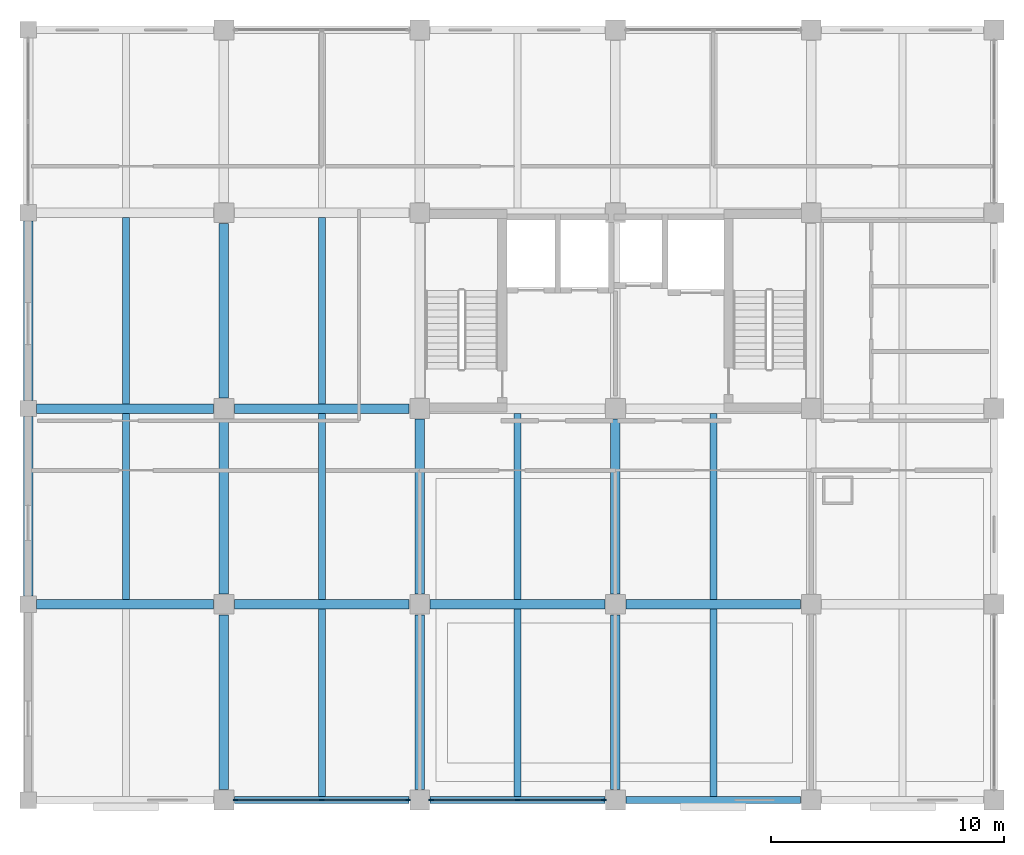
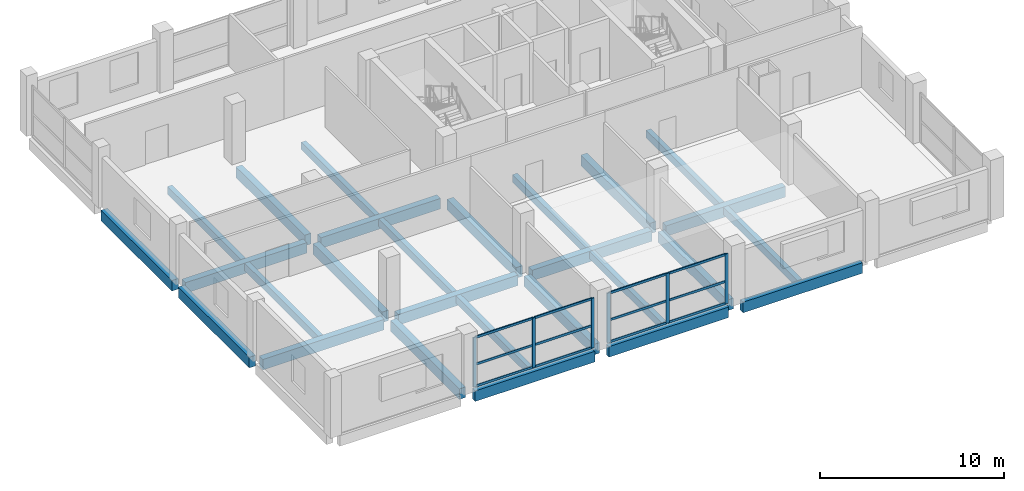
# One storey, part 2 of 11: 27 beams, 18 members, 2 elements without a shape of their own.
"""IFC4 building model written with IfcOpenShell, lengths in metres."""

import ifcopenshell
import ifcopenshell.guid

model = None  # the IFC model being written
_history = None  # IfcOwnerHistory: only IFC2X3 demands one
_inside = {}  # id of a spatial element -> (the spatial element, [elements in it])
_under = {}  # id of a project, library or spatial element -> (it, [spatial elements below it])
_declared = {}  # id of a project -> (the project, [libraries it declares])
_typed = {}  # id of a type object -> (the type object, [elements of that type])
_made_of = {}  # id of a material, layer set ... -> (it, [elements and type objects made of it])


def new_model(schema):
    """Start an empty IFC model of exactly this schema.

    Asked for "IFC4X3", IfcOpenShell would pick the latest addendum, in which some entities
    have other attributes; the version numbers below select the first issue.
    IFC2X3 requires an IfcOwnerHistory on every rooted entity: one is made here for all.
    """
    global model, _history
    if schema == "IFC4X3":
        model = ifcopenshell.file(schema_version=(4, 3, 0, 0))
    else:
        model = ifcopenshell.file(schema=schema)
    _inside.clear()
    _under.clear()
    _declared.clear()
    _typed.clear()
    _made_of.clear()
    _history = None
    if model.schema == "IFC2X3":
        org = make("IfcOrganization", Name="unknown")
        user = make(
            "IfcPersonAndOrganization",
            ThePerson=make("IfcPerson", FamilyName="unknown"),
            TheOrganization=org,
        )
        app = make(
            "IfcApplication",
            ApplicationDeveloper=org,
            Version="unknown",
            ApplicationFullName="unknown",
            ApplicationIdentifier="unknown",
        )
        _history = make(
            "IfcOwnerHistory",
            OwningUser=user,
            OwningApplication=app,
            ChangeAction="ADDED",
            CreationDate=0,
        )
    return model


def make(cls, **values):
    """One entity of the class cls with the attributes given. An attribute that is None is left unset."""
    return model.create_entity(
        cls, **{name: value for name, value in values.items() if value is not None}
    )


def rooted(cls, **values):
    """An entity with a GlobalId (a new one), such as an element, a storey or a relation."""
    return make(cls, GlobalId=ifcopenshell.guid.new(), OwnerHistory=_history, **values)


def si_unit(unit_type, name, prefix=None):
    """IfcSIUnit, for example si_unit("LENGTHUNIT", "METRE", prefix="MILLI")."""
    return make("IfcSIUnit", UnitType=unit_type, Prefix=prefix, Name=name)


def assignment(units):
    """IfcUnitAssignment: the units of a project."""
    return None if units is None else make("IfcUnitAssignment", Units=units)


def point(xyz):
    """IfcCartesianPoint."""
    return None if xyz is None else make("IfcCartesianPoint", Coordinates=xyz)


def direction(xyz):
    """IfcDirection."""
    return None if xyz is None else make("IfcDirection", DirectionRatios=xyz)


def frame(location, z_axis=None, x_axis=None):
    """IfcAxis2Placement3D, a coordinate frame: its origin and axes. An axis left out is left unset."""
    return make(
        "IfcAxis2Placement3D",
        Location=point(location),
        Axis=direction(z_axis),
        RefDirection=direction(x_axis),
    )


def frame_2d(location, x_axis=None):
    """IfcAxis2Placement2D, a coordinate frame in the plane: its origin and x axis."""
    return make(
        "IfcAxis2Placement2D", Location=point(location), RefDirection=direction(x_axis)
    )


def origin():
    """The frame at (0, 0, 0) with its axes left unset."""
    return frame((0.0, 0.0, 0.0))


def origin_2d():
    """The frame at (0, 0) in the plane with its x axis left unset."""
    return frame_2d((0.0, 0.0))


def place(relative_to, where):
    """IfcLocalPlacement: puts the frame where relative to a parent placement (None: the world)."""
    return make(
        "IfcLocalPlacement", PlacementRelTo=relative_to, RelativePlacement=where
    )


def context(
    kind, dimensions, precision=None, world=None, true_north=None, identifier=None
):
    """IfcGeometricRepresentationContext, for example the 3D "Model" context."""
    return make(
        "IfcGeometricRepresentationContext",
        ContextIdentifier=identifier,
        ContextType=kind,
        CoordinateSpaceDimension=dimensions,
        Precision=precision,
        WorldCoordinateSystem=world,
        TrueNorth=true_north,
    )


def subcontext(parent, identifier, kind, view, scale=None):
    """IfcGeometricRepresentationSubContext, for example "Body" below "Model"."""
    return make(
        "IfcGeometricRepresentationSubContext",
        ContextIdentifier=identifier,
        ContextType=kind,
        ParentContext=parent,
        TargetScale=scale,
        TargetView=view,
    )


def project(units=None, contexts=None):
    """IfcProject with its units and contexts."""
    return rooted(
        "IfcProject",
        Name="project",
        RepresentationContexts=contexts,
        UnitsInContext=assignment(units),
    )


def spatial(cls, under=None, at=None, **own):
    """A site, building, storey or space (cls), placed at a placement, below another one or the project."""
    s = rooted(cls, ObjectPlacement=at, **own)
    if under is not None:
        _under.setdefault(under.id(), (under, []))[1].append(s)
    return s


def profile(cls, at=None, kind="AREA", **sizes):
    """A parametric profile (cls). Its sizes go by their IFC names, for example OverallWidth=200.0."""
    return make(cls, ProfileType=kind, Position=at, **sizes)


def rectangle(**sizes):
    """IfcRectangleProfileDef."""
    return profile("IfcRectangleProfileDef", **sizes)


def extrude(swept, where, along, depth):
    """IfcExtrudedAreaSolid: the profile swept, set in the frame where, extruded along a direction by depth."""
    return make(
        "IfcExtrudedAreaSolid",
        SweptArea=swept,
        Position=where,
        ExtrudedDirection=direction(along),
        Depth=depth,
    )


def shape(context_of_items, identifier, shape_type, items):
    """IfcShapeRepresentation: the items that make up one representation, for example the "Body"."""
    return make(
        "IfcShapeRepresentation",
        ContextOfItems=context_of_items,
        RepresentationIdentifier=identifier,
        RepresentationType=shape_type,
        Items=items,
    )


def material(Name=None, Category=None):
    """IfcMaterial."""
    return make("IfcMaterial", Name=Name, Category=Category)


def material_profile(
    of_material, cross_section, Name=None, Category=None, Priority=None
):
    """IfcMaterialProfile: a cross section and its material."""
    return make(
        "IfcMaterialProfile",
        Name=Name,
        Material=of_material,
        Profile=cross_section,
        Priority=Priority,
        Category=Category,
    )


def profile_set(profiles, Name=None, composite=None):
    """IfcMaterialProfileSet."""
    return make(
        "IfcMaterialProfileSet",
        Name=Name,
        MaterialProfiles=profiles,
        CompositeProfile=composite,
    )


def made_of(thing, what):
    """Note that an element or type object is made of a material, layer set ...; save() writes the relation."""
    if what is not None:
        _made_of.setdefault(what.id(), (what, []))[1].append(thing)
    return thing


def type_object(cls, material=None, **own):
    """A type object (cls), such as IfcWallType, which elements share."""
    return made_of(rooted(cls, **own), material)


def element(
    cls,
    number,
    at=None,
    inside=None,
    cuts=None,
    type_object=None,
    material=None,
    context=None,
    identifier="Body",
    shape_type=None,
    held_by="IfcProductDefinitionShape",
    body=None,
    shapes=None,
    **own,
):
    """One element of the class cls, such as IfcWall. Its Tag is "e" and its number.

    at: its placement. inside: the storey or other place that contains it. cuts: it is an
    opening in that element (IfcRelVoidsElement). A single representation is given by context,
    identifier, shape_type and body (its items); several are given by shapes. held_by: the class
    of the entity that holds the representations. save() writes the other relations.
    """
    e = rooted(cls, Tag="e%d" % number, ObjectPlacement=at, **own)
    if body is not None:
        shapes = [shape(context, identifier, shape_type, body)]
    if shapes is not None:
        e.Representation = make(held_by, Representations=shapes)
    if inside is not None:
        _inside.setdefault(inside.id(), (inside, []))[1].append(e)
    if cuts is not None:
        rooted(
            "IfcRelVoidsElement", RelatingBuildingElement=cuts, RelatedOpeningElement=e
        )
    if type_object is not None:
        _typed.setdefault(type_object.id(), (type_object, []))[1].append(e)
    return made_of(e, material)


def aggregate(whole, parts):
    """IfcRelAggregates: a whole, such as a stair, and the parts it consists of."""
    return rooted("IfcRelAggregates", RelatingObject=whole, RelatedObjects=parts)


def save(model, path):
    """Write the relations noted so far, then the file.

    IfcRelAggregates (storeys below a building ...), IfcRelContainedInSpatialStructure (elements
    in a storey), IfcRelDefinesByType, IfcRelAssociatesMaterial and IfcRelDeclares: one each for
    every whole, place, type object, material and project.
    """
    for whole, parts in _under.values():
        aggregate(whole, parts)
    for where, things in _inside.values():
        rooted(
            "IfcRelContainedInSpatialStructure",
            RelatedElements=things,
            RelatingStructure=where,
        )
    for kind, things in _typed.values():
        rooted("IfcRelDefinesByType", RelatedObjects=things, RelatingType=kind)
    for what, things in _made_of.values():
        rooted("IfcRelAssociatesMaterial", RelatedObjects=things, RelatingMaterial=what)
    for by, libraries in _declared.values():
        rooted("IfcRelDeclares", RelatingContext=by, RelatedDefinitions=libraries)
    model.write(path)


model = new_model("IFC4")

# Units and contexts
model_context = context("Model", 3, precision=1e-05, world=origin(), true_north=direction((0.0, 1.0)))
body_context = subcontext(model_context, "Body", "Model", "MODEL_VIEW")
ifc_project = project(units=[si_unit("LENGTHUNIT", "METRE"), si_unit("AREAUNIT", "SQUARE_METRE"), si_unit("VOLUMEUNIT", "CUBIC_METRE"), si_unit("PLANEANGLEUNIT", "RADIAN"), si_unit("MASSUNIT", "GRAM", prefix="KILO")], contexts=[model_context])

# Site, building, storey
site_placement = place(None, origin())
site = spatial("IfcSite", under=ifc_project, at=site_placement, CompositionType="ELEMENT")
building_placement = place(site_placement, origin())
building = spatial("IfcBuilding", under=site, at=building_placement, Name="Brinegate Botanical Conservatory", CompositionType="ELEMENT")
storey_placement = place(building_placement, frame((0.0, 0.0, 23.39990234375)))
storey = spatial("IfcBuildingStorey", under=building, at=storey_placement, Name="L06", CompositionType="ELEMENT", Elevation=23.39990234375)

# Beams
ifc_material_1 = material(Name="Concrete C40/50", Category="concrete")
ifc_material_profile_1 = material_profile(ifc_material_1, rectangle(XDim=0.39990234375, YDim=0.699951171875, at=origin_2d()), Name="RC BM 400x700")
ifc_profile_set_1 = profile_set([ifc_material_profile_1], Name="Concrete C40/50")
beam_type_1 = type_object("IfcBeamType", Name="Beam_BM-T2", PredefinedType="BEAM", material=ifc_profile_set_1)
beam_1_placement = place(storey_placement, frame((122.35009765625, 86.800048828125, -0.52978515625), z_axis=(1.0, 0.0, 0.0), x_axis=(0.0, 1.0, 0.0)))
element("IfcBeam", 1, at=beam_1_placement, inside=storey, type_object=beam_type_1, Name="Beam BM-T2 L06 L:16-17", PredefinedType="BEAM", context=body_context, shape_type="SweptSolid", body=[
    extrude(rectangle(XDim=0.39990234375, YDim=0.699951171875, at=origin_2d()), origin(), (0.0, 0.0, 1.0), 7.599853515625),
])
for number, where, z_axis, x_axis, name in (
    (2, (130.85009765625, 86.800048828125, -0.52978515625), (1.0, 0.0, 0.0), (0.0, 1.0, 0.0), "Beam BM-T2 L06 L:17-18"),
    (3, (139.25, 86.800048828125, -0.52978515625), (1.0, 0.0, 0.0), (0.0, 1.0, 0.0), "Beam BM-T2 L06 L:18-19"),
    (4, (147.64990234375, 86.800048828125, -0.52978515625), (1.0, 0.0, 0.0), (0.0, 1.0, 0.0), "Beam BM-T2 L06 L:19-20"),
):
    element("IfcBeam", number, at=place(storey_placement, frame(where, z_axis=z_axis, x_axis=x_axis)), inside=storey, type_object=beam_type_1, Name=name, PredefinedType="BEAM", context=body_context, shape_type="SweptSolid", body=[
        extrude(rectangle(XDim=0.39990234375, YDim=0.699951171875, at=origin_2d()), origin(), (0.0, 0.0, 1.0), 7.5),
    ])
beam_2_placement = place(storey_placement, frame((122.35009765625, 95.199951171875, -0.52978515625), z_axis=(1.0, 0.0, 0.0), x_axis=(0.0, 1.0, 0.0)))
element("IfcBeam", 5, at=beam_2_placement, inside=storey, type_object=beam_type_1, Name="Beam BM-T2 L06 M:16-17", PredefinedType="BEAM", context=body_context, shape_type="SweptSolid", body=[
    extrude(rectangle(XDim=0.39990234375, YDim=0.699951171875, at=origin_2d()), origin(), (0.0, 0.0, 1.0), 7.599853515625),
])
beam_3_placement = place(storey_placement, frame((130.85009765625, 95.199951171875, -0.52978515625), z_axis=(1.0, 0.0, 0.0), x_axis=(0.0, 1.0, 0.0)))
element("IfcBeam", 6, at=beam_3_placement, inside=storey, type_object=beam_type_1, Name="Beam BM-T2 L06 M:17-18", PredefinedType="BEAM", context=body_context, shape_type="SweptSolid", body=[
    extrude(rectangle(XDim=0.39990234375, YDim=0.699951171875, at=origin_2d()), origin(), (0.0, 0.0, 1.0), 7.5),
])
beam_4_placement = place(storey_placement, frame((122.0, 87.14990234375, -0.52978515625), z_axis=(0.0, 1.0, 0.0), x_axis=(-1.0, 0.0, 0.0)))
element("IfcBeam", 7, at=beam_4_placement, inside=storey, type_object=beam_type_1, Name="Beam BM-T2 L06 16:L-M", PredefinedType="BEAM", context=body_context, shape_type="SweptSolid", body=[
    extrude(rectangle(XDim=0.39990234375, YDim=0.699951171875, at=origin_2d()), origin(), (0.0, 0.0, 1.0), 7.7001953125),
])
beam_5_placement = place(storey_placement, frame((122.0, 95.550048828125, -0.52978515625), z_axis=(0.0, 1.0, 0.0), x_axis=(-1.0, 0.0, 0.0)))
element("IfcBeam", 8, at=beam_5_placement, inside=storey, type_object=beam_type_1, Name="Beam BM-T2 L06 16:M-N", PredefinedType="BEAM", context=body_context, shape_type="SweptSolid", body=[
    extrude(rectangle(XDim=0.39990234375, YDim=0.699951171875, at=origin_2d()), origin(), (0.0, 0.0, 1.0), 7.699951171875),
])
for number, where, z_axis, x_axis, name in (
    (9, (130.39990234375, 78.85009765625, -0.52978515625), (0.0, 1.0, 0.0), (-1.0, 0.0, 0.0), "Beam BM-T2 L06 17:K-L"),
    (10, (130.39990234375, 87.25, -0.52978515625), (0.0, 1.0, 0.0), (-1.0, 0.0, 0.0), "Beam BM-T2 L06 17:L-M"),
    (11, (130.39990234375, 95.64990234375, -0.52978515625), (0.0, 1.0, 0.0), (-1.0, 0.0, 0.0), "Beam BM-T2 L06 17:M-N"),
    (12, (138.800048828125, 78.85009765625, -0.52978515625), (0.0, 1.0, 0.0), (-1.0, 0.0, 0.0), "Beam BM-T2 L06 18:K-L"),
    (13, (138.800048828125, 87.25, -0.52978515625), (0.0, 1.0, 0.0), (-1.0, 0.0, 0.0), "Beam BM-T2 L06 18:L-M"),
    (14, (147.199951171875, 78.85009765625, -0.52978515625), (0.0, 1.0, 0.0), (-1.0, 0.0, 0.0), "Beam BM-T2 L06 19:K-L"),
    (15, (147.199951171875, 87.25, -0.52978515625), (0.0, 1.0, 0.0), (-1.0, 0.0, 0.0), "Beam BM-T2 L06 19:L-M"),
):
    element("IfcBeam", number, at=place(storey_placement, frame(where, z_axis=z_axis, x_axis=x_axis)), inside=storey, type_object=beam_type_1, Name=name, PredefinedType="BEAM", context=body_context, shape_type="SweptSolid", body=[
        extrude(rectangle(XDim=0.39990234375, YDim=0.699951171875, at=origin_2d()), origin(), (0.0, 0.0, 1.0), 7.5),
    ])
ifc_material_profile_2 = material_profile(ifc_material_1, rectangle(XDim=0.300048828125, YDim=0.5, at=origin_2d()), Name="RC JST 300x500")
ifc_profile_set_2 = profile_set([ifc_material_profile_2], Name="Concrete C40/50")
beam_type_2 = type_object("IfcBeamType", Name="Beam_JS-C2", PredefinedType="JOIST", material=ifc_profile_set_2)
for number, where, z_axis, x_axis, name in (
    (16, (126.199951171875, 87.0, -0.429931640625), (0.0, 1.0, 0.0), (-1.0, 0.0, 0.0), "Floor joist JS-C2 L06 bay 16.11"),
    (17, (126.199951171875, 95.39990234375, -0.429931640625), (0.0, 1.0, 0.0), (-1.0, 0.0, 0.0), "Floor joist JS-C2 L06 bay 16.12"),
):
    element("IfcBeam", number, at=place(storey_placement, frame(where, z_axis=z_axis, x_axis=x_axis)), inside=storey, type_object=beam_type_2, Name=name, PredefinedType="JOIST", context=body_context, shape_type="SweptSolid", body=[
        extrude(rectangle(XDim=0.300048828125, YDim=0.5, at=origin_2d()), origin(), (0.0, 0.0, 1.0), 8.0),
    ])
beam_6_placement = place(storey_placement, frame((134.60009765625, 78.550048828125, -0.429931640625), z_axis=(0.0, 1.0, 0.0), x_axis=(-1.0, 0.0, 0.0)))
element("IfcBeam", 18, at=beam_6_placement, inside=storey, type_object=beam_type_2, Name="Floor joist JS-C2 L06 bay 17.10", PredefinedType="JOIST", context=body_context, shape_type="SweptSolid", body=[
    extrude(rectangle(XDim=0.300048828125, YDim=0.5, at=origin_2d()), origin(), (0.0, 0.0, 1.0), 8.050048828125),
])
for number, where, z_axis, x_axis, name in (
    (19, (134.60009765625, 87.0, -0.429931640625), (0.0, 1.0, 0.0), (-1.0, 0.0, 0.0), "Floor joist JS-C2 L06 bay 17.11"),
    (20, (134.60009765625, 95.39990234375, -0.429931640625), (0.0, 1.0, 0.0), (-1.0, 0.0, 0.0), "Floor joist JS-C2 L06 bay 17.12"),
):
    element("IfcBeam", number, at=place(storey_placement, frame(where, z_axis=z_axis, x_axis=x_axis)), inside=storey, type_object=beam_type_2, Name=name, PredefinedType="JOIST", context=body_context, shape_type="SweptSolid", body=[
        extrude(rectangle(XDim=0.300048828125, YDim=0.5, at=origin_2d()), origin(), (0.0, 0.0, 1.0), 8.0),
    ])
beam_7_placement = place(storey_placement, frame((143.0, 78.550048828125, -0.429931640625), z_axis=(0.0, 1.0, 0.0), x_axis=(-1.0, 0.0, 0.0)))
element("IfcBeam", 21, at=beam_7_placement, inside=storey, type_object=beam_type_2, Name="Floor joist JS-C2 L06 bay 18.10", PredefinedType="JOIST", context=body_context, shape_type="SweptSolid", body=[
    extrude(rectangle(XDim=0.300048828125, YDim=0.5, at=origin_2d()), origin(), (0.0, 0.0, 1.0), 8.050048828125),
])
beam_8_placement = place(storey_placement, frame((143.0, 87.0, -0.429931640625), z_axis=(0.0, 1.0, 0.0), x_axis=(-1.0, 0.0, 0.0)))
element("IfcBeam", 22, at=beam_8_placement, inside=storey, type_object=beam_type_2, Name="Floor joist JS-C2 L06 bay 18.11", PredefinedType="JOIST", context=body_context, shape_type="SweptSolid", body=[
    extrude(rectangle(XDim=0.300048828125, YDim=0.5, at=origin_2d()), origin(), (0.0, 0.0, 1.0), 8.0),
])
beam_9_placement = place(storey_placement, frame((151.39990234375, 78.550048828125, -0.429931640625), z_axis=(0.0, 1.0, 0.0), x_axis=(-1.0, 0.0, 0.0)))
element("IfcBeam", 23, at=beam_9_placement, inside=storey, type_object=beam_type_2, Name="Floor joist JS-C2 L06 bay 19.10", PredefinedType="JOIST", context=body_context, shape_type="SweptSolid", body=[
    extrude(rectangle(XDim=0.300048828125, YDim=0.5, at=origin_2d()), origin(), (0.0, 0.0, 1.0), 8.050048828125),
])
beam_10_placement = place(storey_placement, frame((151.39990234375, 87.0, -0.429931640625), z_axis=(0.0, 1.0, 0.0), x_axis=(-1.0, 0.0, 0.0)))
element("IfcBeam", 24, at=beam_10_placement, inside=storey, type_object=beam_type_2, Name="Floor joist JS-C2 L06 bay 19.11", PredefinedType="JOIST", context=body_context, shape_type="SweptSolid", body=[
    extrude(rectangle(XDim=0.300048828125, YDim=0.5, at=origin_2d()), origin(), (0.0, 0.0, 1.0), 8.0),
])
ifc_material_profile_3 = material_profile(ifc_material_1, rectangle(XDim=0.300048828125, YDim=0.699951171875, at=origin_2d()), Name="RC SPN 300x700")
ifc_profile_set_3 = profile_set([ifc_material_profile_3], Name="Concrete C40/50")
beam_type_3 = type_object("IfcBeamType", Name="Beam_SP-02", PredefinedType="SPANDREL", material=ifc_profile_set_3)
for number, where, z_axis, x_axis, name in (
    (25, (130.85009765625, 78.39990234375, -0.52978515625), (1.0, 0.0, 0.0), (0.0, 1.0, 0.0), "Beam SP-02 L06 K:17-18"),
    (26, (139.25, 78.39990234375, -0.52978515625), (1.0, 0.0, 0.0), (0.0, 1.0, 0.0), "Beam SP-02 L06 K:18-19"),
    (27, (147.64990234375, 78.39990234375, -0.52978515625), (1.0, 0.0, 0.0), (0.0, 1.0, 0.0), "Beam SP-02 L06 K:19-20"),
):
    element("IfcBeam", number, at=place(storey_placement, frame(where, z_axis=z_axis, x_axis=x_axis)), inside=storey, type_object=beam_type_3, Name=name, PredefinedType="SPANDREL", context=body_context, shape_type="SweptSolid", body=[
        extrude(rectangle(XDim=0.300048828125, YDim=0.699951171875, at=origin_2d()), origin(), (0.0, 0.0, 1.0), 7.5),
    ])

# Curtain wall, members
ifc_material_2 = material(Name="Thermally broken anodised aluminium AW-6063-T6", Category="aluminium")
curtain_wall_type = type_object("IfcCurtainWallType", Name="CW_CW-TW1", PredefinedType="USERDEFINED", material=ifc_material_2)
curtain_wall_1_placement = place(storey_placement, origin())
curtain_wall_1 = element("IfcCurtainWall", 28, at=curtain_wall_1_placement, inside=storey, type_object=curtain_wall_type, Name="Tower south curtain wall L06.2", ObjectType="FACTORY CURTAIN WALL", PredefinedType="USERDEFINED")
ifc_material_profile_4 = material_profile(ifc_material_2, rectangle(XDim=0.070068359375, YDim=0.199951171875, at=origin_2d()), Name="ALUM MULLION 70x200")
ifc_profile_set_4 = profile_set([ifc_material_profile_4], Name="Thermally broken anodised aluminium AW-6063-T6")
member_type_1 = type_object("IfcMemberType", Name="Member_ML-03", PredefinedType="MULLION", material=ifc_profile_set_4)
member_1_placement = place(storey_placement, frame((138.300048828125, 78.39990234375, 0.0), z_axis=(0.0, 0.0, 1.0), x_axis=(0.0, -1.0, 0.0)))
member_1 = element("IfcMember", 29, at=member_1_placement, type_object=member_type_1, Name="CW-TW1 mullion 1", PredefinedType="MULLION", context=body_context, shape_type="SweptSolid", body=[
    extrude(rectangle(XDim=0.070068359375, YDim=0.199951171875, at=origin_2d()), origin(), (0.0, 0.0, 1.0), 3.300048828125),
])
member_2_placement = place(storey_placement, frame((134.60009765625, 78.39990234375, 0.0), z_axis=(0.0, 0.0, 1.0), x_axis=(0.0, -1.0, 0.0)))
member_2 = element("IfcMember", 30, at=member_2_placement, type_object=member_type_1, Name="CW-TW1 mullion 2", PredefinedType="MULLION", context=body_context, shape_type="SweptSolid", body=[
    extrude(rectangle(XDim=0.070068359375, YDim=0.199951171875, at=origin_2d()), origin(), (0.0, 0.0, 1.0), 3.300048828125),
])
member_3_placement = place(storey_placement, frame((130.89990234375, 78.39990234375, 0.0), z_axis=(0.0, 0.0, 1.0), x_axis=(0.0, -1.0, 0.0)))
member_3 = element("IfcMember", 31, at=member_3_placement, type_object=member_type_1, Name="CW-TW1 mullion 3", PredefinedType="MULLION", context=body_context, shape_type="SweptSolid", body=[
    extrude(rectangle(XDim=0.070068359375, YDim=0.199951171875, at=origin_2d()), origin(), (0.0, 0.0, 1.0), 3.300048828125),
])

curtain_wall_2_placement = place(storey_placement, origin())
curtain_wall_2 = element("IfcCurtainWall", 32, at=curtain_wall_2_placement, inside=storey, type_object=curtain_wall_type, Name="Tower south curtain wall L06.3", ObjectType="FACTORY CURTAIN WALL", PredefinedType="USERDEFINED")
member_4_placement = place(storey_placement, frame((146.699951171875, 78.39990234375, 0.0), z_axis=(0.0, 0.0, 1.0), x_axis=(0.0, -1.0, 0.0)))
member_4 = element("IfcMember", 33, at=member_4_placement, type_object=member_type_1, Name="CW-TW1 mullion 1", PredefinedType="MULLION", context=body_context, shape_type="SweptSolid", body=[
    extrude(rectangle(XDim=0.070068359375, YDim=0.199951171875, at=origin_2d()), origin(), (0.0, 0.0, 1.0), 3.300048828125),
])
member_5_placement = place(storey_placement, frame((143.0, 78.39990234375, 0.0), z_axis=(0.0, 0.0, 1.0), x_axis=(0.0, -1.0, 0.0)))
member_5 = element("IfcMember", 34, at=member_5_placement, type_object=member_type_1, Name="CW-TW1 mullion 2", PredefinedType="MULLION", context=body_context, shape_type="SweptSolid", body=[
    extrude(rectangle(XDim=0.070068359375, YDim=0.199951171875, at=origin_2d()), origin(), (0.0, 0.0, 1.0), 3.300048828125),
])
member_6_placement = place(storey_placement, frame((139.300048828125, 78.39990234375, 0.0), z_axis=(0.0, 0.0, 1.0), x_axis=(0.0, -1.0, 0.0)))
member_6 = element("IfcMember", 35, at=member_6_placement, type_object=member_type_1, Name="CW-TW1 mullion 3", PredefinedType="MULLION", context=body_context, shape_type="SweptSolid", body=[
    extrude(rectangle(XDim=0.070068359375, YDim=0.199951171875, at=origin_2d()), origin(), (0.0, 0.0, 1.0), 3.300048828125),
])

# Member
ifc_material_profile_5 = material_profile(ifc_material_2, rectangle(XDim=0.070068359375, YDim=0.14990234375, at=origin_2d()), Name="ALUM TRANSOM 70x150")
ifc_profile_set_5 = profile_set([ifc_material_profile_5], Name="Thermally broken anodised aluminium AW-6063-T6")
member_type_2 = type_object("IfcMemberType", Name="Member_TR-03", PredefinedType="USERDEFINED", material=ifc_profile_set_5)
member_7_placement = place(storey_placement, frame((138.264892578125, 78.39990234375, 0.03515625), z_axis=(-1.0, 0.0, 0.0), x_axis=(0.0, -1.0, 0.0)))
member_7 = element("IfcMember", 36, at=member_7_placement, type_object=member_type_2, Name="CW-TW1 transom 1.1", ObjectType="TRANSOM", PredefinedType="USERDEFINED", context=body_context, shape_type="SweptSolid", body=[
    extrude(rectangle(XDim=0.070068359375, YDim=0.14990234375, at=origin_2d()), origin(), (0.0, 0.0, 1.0), 3.6298828125),
])

member_8_placement = place(storey_placement, frame((138.264892578125, 78.39990234375, 1.485107421875), z_axis=(-1.0, 0.0, 0.0), x_axis=(0.0, -1.0, 0.0)))
member_8 = element("IfcMember", 37, at=member_8_placement, type_object=member_type_2, Name="CW-TW1 transom 1.2", ObjectType="TRANSOM", PredefinedType="USERDEFINED", context=body_context, shape_type="SweptSolid", body=[
    extrude(rectangle(XDim=0.070068359375, YDim=0.14990234375, at=origin_2d()), origin(), (0.0, 0.0, 1.0), 3.6298828125),
])

member_9_placement = place(storey_placement, frame((138.264892578125, 78.39990234375, 3.26513671875), z_axis=(-1.0, 0.0, 0.0), x_axis=(0.0, -1.0, 0.0)))
member_9 = element("IfcMember", 38, at=member_9_placement, type_object=member_type_2, Name="CW-TW1 transom 1.3", ObjectType="TRANSOM", PredefinedType="USERDEFINED", context=body_context, shape_type="SweptSolid", body=[
    extrude(rectangle(XDim=0.070068359375, YDim=0.14990234375, at=origin_2d()), origin(), (0.0, 0.0, 1.0), 3.6298828125),
])

member_10_placement = place(storey_placement, frame((134.56494140625, 78.39990234375, 0.03515625), z_axis=(-1.0, 0.0, 0.0), x_axis=(0.0, -1.0, 0.0)))
member_10 = element("IfcMember", 39, at=member_10_placement, type_object=member_type_2, Name="CW-TW1 transom 2.1", ObjectType="TRANSOM", PredefinedType="USERDEFINED", context=body_context, shape_type="SweptSolid", body=[
    extrude(rectangle(XDim=0.070068359375, YDim=0.14990234375, at=origin_2d()), origin(), (0.0, 0.0, 1.0), 3.6298828125),
])

member_11_placement = place(storey_placement, frame((134.56494140625, 78.39990234375, 1.485107421875), z_axis=(-1.0, 0.0, 0.0), x_axis=(0.0, -1.0, 0.0)))
member_11 = element("IfcMember", 40, at=member_11_placement, type_object=member_type_2, Name="CW-TW1 transom 2.2", ObjectType="TRANSOM", PredefinedType="USERDEFINED", context=body_context, shape_type="SweptSolid", body=[
    extrude(rectangle(XDim=0.070068359375, YDim=0.14990234375, at=origin_2d()), origin(), (0.0, 0.0, 1.0), 3.6298828125),
])

member_12_placement = place(storey_placement, frame((134.56494140625, 78.39990234375, 3.26513671875), z_axis=(-1.0, 0.0, 0.0), x_axis=(0.0, -1.0, 0.0)))
member_12 = element("IfcMember", 41, at=member_12_placement, type_object=member_type_2, Name="CW-TW1 transom 2.3", ObjectType="TRANSOM", PredefinedType="USERDEFINED", context=body_context, shape_type="SweptSolid", body=[
    extrude(rectangle(XDim=0.070068359375, YDim=0.14990234375, at=origin_2d()), origin(), (0.0, 0.0, 1.0), 3.6298828125),
])

aggregate(curtain_wall_1, [member_1, member_2, member_3, member_7, member_8, member_9, member_10, member_11, member_12])

member_13_placement = place(storey_placement, frame((146.6650390625, 78.39990234375, 0.03515625), z_axis=(-1.0, 0.0, 0.0), x_axis=(0.0, -1.0, 0.0)))
member_13 = element("IfcMember", 42, at=member_13_placement, type_object=member_type_2, Name="CW-TW1 transom 1.1", ObjectType="TRANSOM", PredefinedType="USERDEFINED", context=body_context, shape_type="SweptSolid", body=[
    extrude(rectangle(XDim=0.070068359375, YDim=0.14990234375, at=origin_2d()), origin(), (0.0, 0.0, 1.0), 3.630126953125),
])

member_14_placement = place(storey_placement, frame((146.6650390625, 78.39990234375, 1.485107421875), z_axis=(-1.0, 0.0, 0.0), x_axis=(0.0, -1.0, 0.0)))
member_14 = element("IfcMember", 43, at=member_14_placement, type_object=member_type_2, Name="CW-TW1 transom 1.2", ObjectType="TRANSOM", PredefinedType="USERDEFINED", context=body_context, shape_type="SweptSolid", body=[
    extrude(rectangle(XDim=0.070068359375, YDim=0.14990234375, at=origin_2d()), origin(), (0.0, 0.0, 1.0), 3.630126953125),
])

member_15_placement = place(storey_placement, frame((146.6650390625, 78.39990234375, 3.26513671875), z_axis=(-1.0, 0.0, 0.0), x_axis=(0.0, -1.0, 0.0)))
member_15 = element("IfcMember", 44, at=member_15_placement, type_object=member_type_2, Name="CW-TW1 transom 1.3", ObjectType="TRANSOM", PredefinedType="USERDEFINED", context=body_context, shape_type="SweptSolid", body=[
    extrude(rectangle(XDim=0.070068359375, YDim=0.14990234375, at=origin_2d()), origin(), (0.0, 0.0, 1.0), 3.630126953125),
])

member_16_placement = place(storey_placement, frame((142.965087890625, 78.39990234375, 0.03515625), z_axis=(-1.0, 0.0, 0.0), x_axis=(0.0, -1.0, 0.0)))
member_16 = element("IfcMember", 45, at=member_16_placement, type_object=member_type_2, Name="CW-TW1 transom 2.1", ObjectType="TRANSOM", PredefinedType="USERDEFINED", context=body_context, shape_type="SweptSolid", body=[
    extrude(rectangle(XDim=0.070068359375, YDim=0.14990234375, at=origin_2d()), origin(), (0.0, 0.0, 1.0), 3.630126953125),
])

member_17_placement = place(storey_placement, frame((142.965087890625, 78.39990234375, 1.485107421875), z_axis=(-1.0, 0.0, 0.0), x_axis=(0.0, -1.0, 0.0)))
member_17 = element("IfcMember", 46, at=member_17_placement, type_object=member_type_2, Name="CW-TW1 transom 2.2", ObjectType="TRANSOM", PredefinedType="USERDEFINED", context=body_context, shape_type="SweptSolid", body=[
    extrude(rectangle(XDim=0.070068359375, YDim=0.14990234375, at=origin_2d()), origin(), (0.0, 0.0, 1.0), 3.630126953125),
])

member_18_placement = place(storey_placement, frame((142.965087890625, 78.39990234375, 3.26513671875), z_axis=(-1.0, 0.0, 0.0), x_axis=(0.0, -1.0, 0.0)))
member_18 = element("IfcMember", 47, at=member_18_placement, type_object=member_type_2, Name="CW-TW1 transom 2.3", ObjectType="TRANSOM", PredefinedType="USERDEFINED", context=body_context, shape_type="SweptSolid", body=[
    extrude(rectangle(XDim=0.070068359375, YDim=0.14990234375, at=origin_2d()), origin(), (0.0, 0.0, 1.0), 3.630126953125),
])

aggregate(curtain_wall_2, [member_4, member_5, member_6, member_13, member_14, member_15, member_16, member_17, member_18])

save(model, "model.ifc")
